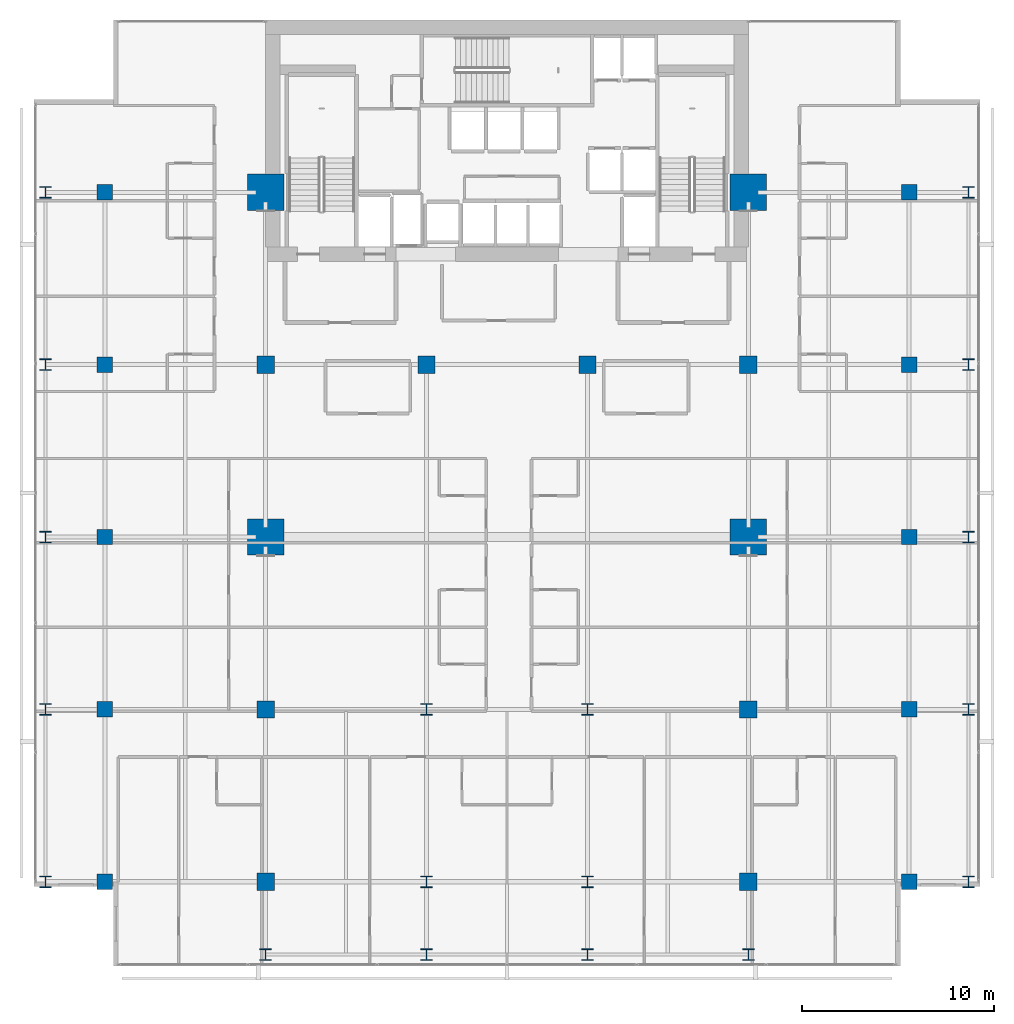
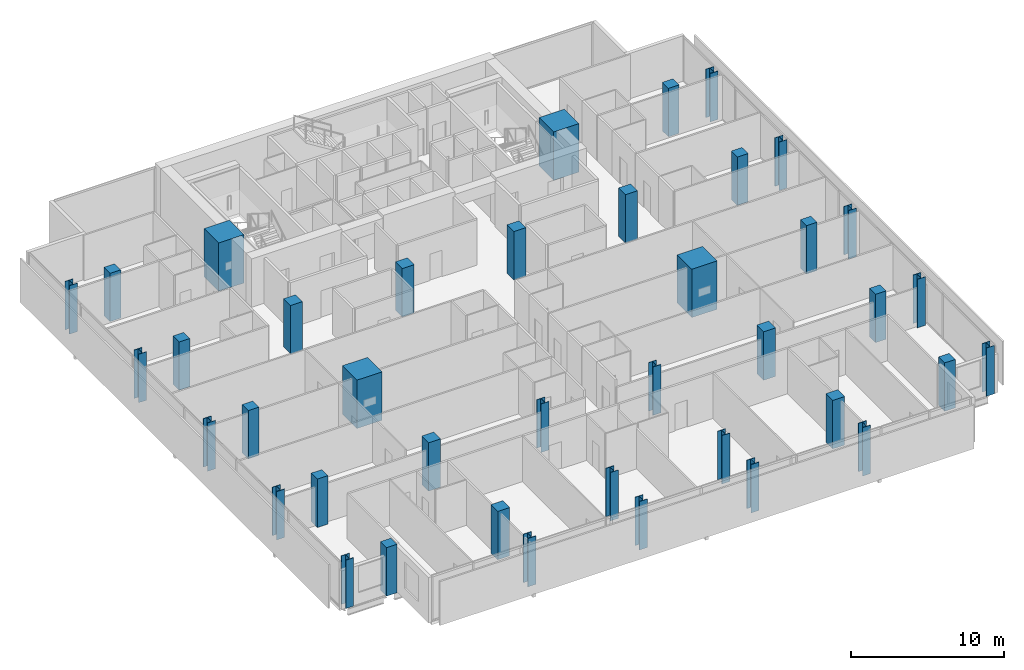
# One storey, part 1 of 34: 40 columns.
"""IFC4 building model written with IfcOpenShell, lengths in metres."""

from ifc_helpers import new_model, si_unit, direction, frame, origin, origin_2d, place, context, subcontext, project, spatial, rectangle, i_section, extrude, material, material_profile, profile_set, type_object, element, save


model = new_model("IFC4")

# Units and contexts
model_context = context("Model", 3, precision=1e-05, world=origin(), true_north=direction((0.0, 1.0)))
body_context = subcontext(model_context, "Body", "Model", "MODEL_VIEW")
ifc_project = project(units=[si_unit("LENGTHUNIT", "METRE"), si_unit("AREAUNIT", "SQUARE_METRE"), si_unit("VOLUMEUNIT", "CUBIC_METRE"), si_unit("PLANEANGLEUNIT", "RADIAN"), si_unit("MASSUNIT", "GRAM", prefix="KILO")], contexts=[model_context])

# Site, building, storey
site_placement = place(None, origin())
site = spatial("IfcSite", under=ifc_project, at=site_placement, CompositionType="ELEMENT")
building_placement = place(site_placement, origin())
building = spatial("IfcBuilding", under=site, at=building_placement, Name="Maruvema Waterfront Hotel and Observation Tower", CompositionType="ELEMENT")
storey_placement = place(building_placement, frame((0.0, 0.0, 208.25)))
storey = spatial("IfcBuildingStorey", under=building, at=storey_placement, Name="L51", CompositionType="ELEMENT", Elevation=208.25)

# Columns
ifc_material_1 = material(Name="Concrete C80/95", Category="concrete")
ifc_material_profile_1 = material_profile(ifc_material_1, rectangle(XDim=1.89990234375, YDim=1.89990234375, at=origin_2d()), Name="MC1900x1900")
ifc_profile_set_1 = profile_set([ifc_material_profile_1], Name="Concrete C80/95")
column_type_1 = type_object("IfcColumnType", Name="Continuous Mega-Column MC1900x1900", PredefinedType="COLUMN", material=ifc_profile_set_1)
for number, where, z_axis, x_axis, name in (
    (1, (25.199951171875, 27.0, 0.0), (0.0, 0.0, 1.0), (1.0, 0.0, 0.0), "L51 Continuous Mega-Column MC-01"),
    (2, (50.39990234375, 27.0, 0.0), (0.0, 0.0, 1.0), (1.0, 0.0, 0.0), "L51 Continuous Mega-Column MC-02"),
    (3, (25.199951171875, 45.0, 0.0), (0.0, 0.0, 1.0), (1.0, 0.0, 0.0), "L51 Continuous Mega-Column MC-03"),
    (4, (50.39990234375, 45.0, 0.0), (0.0, 0.0, 1.0), (1.0, 0.0, 0.0), "L51 Continuous Mega-Column MC-04"),
):
    element("IfcColumn", number, at=place(storey_placement, frame(where, z_axis=z_axis, x_axis=x_axis)), inside=storey, type_object=column_type_1, Name=name, PredefinedType="COLUMN", context=body_context, shape_type="SweptSolid", body=[
        extrude(rectangle(XDim=1.89990234375, YDim=1.89990234375, at=origin_2d()), origin(), (0.0, 0.0, 1.0), 3.85009765625),
    ])
ifc_material_2 = material(Name="Concrete C60/75", Category="concrete")
ifc_material_profile_2 = material_profile(ifc_material_2, rectangle(XDim=0.800048828125, YDim=0.800048828125, at=origin_2d()), Name="RC800x800")
ifc_profile_set_2 = profile_set([ifc_material_profile_2], Name="Concrete C60/75")
column_type_2 = type_object("IfcColumnType", Name="Reinforced Concrete Column RC800x800", PredefinedType="COLUMN", material=ifc_profile_set_2)
for number, where, z_axis, x_axis, name in (
    (5, (16.800048828125, 9.0, 0.0), (0.0, 0.0, 1.0), (1.0, 0.0, 0.0), "L51 Column C-3Y9"),
    (6, (58.800048828125, 9.0, 0.0), (0.0, 0.0, 1.0), (1.0, 0.0, 0.0), "L51 Column C-8Y9"),
    (7, (16.800048828125, 18.0, 0.0), (0.0, 0.0, 1.0), (1.0, 0.0, 0.0), "L51 Column C-3Y18"),
    (8, (58.800048828125, 18.0, 0.0), (0.0, 0.0, 1.0), (1.0, 0.0, 0.0), "L51 Column C-8Y18"),
    (9, (16.800048828125, 27.0, 0.0), (0.0, 0.0, 1.0), (1.0, 0.0, 0.0), "L51 Column C-3Y27"),
    (10, (58.800048828125, 27.0, 0.0), (0.0, 0.0, 1.0), (1.0, 0.0, 0.0), "L51 Column C-8Y27"),
    (11, (16.800048828125, 36.0, 0.0), (0.0, 0.0, 1.0), (1.0, 0.0, 0.0), "L51 Column C-3Y36"),
    (12, (58.800048828125, 36.0, 0.0), (0.0, 0.0, 1.0), (1.0, 0.0, 0.0), "L51 Column C-8Y36"),
    (13, (16.800048828125, 45.0, 0.0), (0.0, 0.0, 1.0), (1.0, 0.0, 0.0), "L51 Column C-3Y45"),
    (14, (58.800048828125, 45.0, 0.0), (0.0, 0.0, 1.0), (1.0, 0.0, 0.0), "L51 Column C-8Y45"),
):
    element("IfcColumn", number, at=place(storey_placement, frame(where, z_axis=z_axis, x_axis=x_axis)), inside=storey, type_object=column_type_2, Name=name, PredefinedType="COLUMN", context=body_context, shape_type="SweptSolid", body=[
        extrude(rectangle(XDim=0.800048828125, YDim=0.800048828125, at=origin_2d()), origin(), (0.0, 0.0, 1.0), 3.85009765625),
    ])
ifc_material_3 = material(Name="Concrete C60/75", Category="concrete")
ifc_material_profile_3 = material_profile(ifc_material_3, rectangle(XDim=0.89990234375, YDim=0.89990234375, at=origin_2d()), Name="RC900x900")
ifc_profile_set_3 = profile_set([ifc_material_profile_3], Name="Concrete C60/75")
column_type_3 = type_object("IfcColumnType", Name="Reinforced Concrete Column RC900x900", PredefinedType="COLUMN", material=ifc_profile_set_3)
for number, where, z_axis, x_axis, name in (
    (15, (25.199951171875, 36.0, 0.0), (0.0, 0.0, 1.0), (1.0, 0.0, 0.0), "L51 Column C-4E"),
    (16, (33.60009765625, 36.0, 0.0), (0.0, 0.0, 1.0), (1.0, 0.0, 0.0), "L51 Column C-5E"),
    (17, (42.0, 36.0, 0.0), (0.0, 0.0, 1.0), (1.0, 0.0, 0.0), "L51 Column C-6E"),
    (18, (50.39990234375, 36.0, 0.0), (0.0, 0.0, 1.0), (1.0, 0.0, 0.0), "L51 Column C-7E"),
    (19, (25.199951171875, 18.0, 0.0), (0.0, 0.0, 1.0), (1.0, 0.0, 0.0), "L51 Column C-4C"),
    (20, (50.39990234375, 18.0, 0.0), (0.0, 0.0, 1.0), (1.0, 0.0, 0.0), "L51 Column C-7C"),
    (21, (25.199951171875, 9.0, 0.0), (0.0, 0.0, 1.0), (1.0, 0.0, 0.0), "L51 Column C-4B"),
    (22, (50.39990234375, 9.0, 0.0), (0.0, 0.0, 1.0), (1.0, 0.0, 0.0), "L51 Column C-7B"),
):
    element("IfcColumn", number, at=place(storey_placement, frame(where, z_axis=z_axis, x_axis=x_axis)), inside=storey, type_object=column_type_3, Name=name, PredefinedType="COLUMN", context=body_context, shape_type="SweptSolid", body=[
        extrude(rectangle(XDim=0.89990234375, YDim=0.89990234375, at=origin_2d()), origin(), (0.0, 0.0, 1.0), 3.85009765625),
    ])
ifc_material_4 = material(Name="Steel ABNT NBR 7007 AR 415 (ASTM A572 Grade 50)", Category="steel")
ifc_material_profile_4 = material_profile(ifc_material_4, i_section(OverallWidth=0.60009765625, OverallDepth=0.60009765625, WebThickness=0.02490234375, FlangeThickness=0.0380859375, at=origin_2d()), Name="CVS600x317")
ifc_profile_set_4 = profile_set([ifc_material_profile_4], Name="Steel ABNT NBR 7007 AR 415 (ASTM A572 Grade 50)")
column_type_4 = type_object("IfcColumnType", Name="Structural Steel Column CVS600x317", PredefinedType="COLUMN", material=ifc_profile_set_4)
for number, where, z_axis, x_axis, name in (
    (23, (33.60009765625, 9.0, 0.0), (0.0, 0.0, 1.0), (1.0, 0.0, 0.0), "L51 Column C-5B"),
    (24, (42.0, 9.0, 0.0), (0.0, 0.0, 1.0), (1.0, 0.0, 0.0), "L51 Column C-6B"),
    (25, (33.60009765625, 18.0, 0.0), (0.0, 0.0, 1.0), (1.0, 0.0, 0.0), "L51 Column C-5C"),
    (26, (42.0, 18.0, 0.0), (0.0, 0.0, 1.0), (1.0, 0.0, 0.0), "L51 Column C-6C"),
    (27, (13.699951171875, 9.0, 0.0), (0.0, 0.0, 1.0), (1.0, 0.0, 0.0), "L51 Column C-Z2W9"),
    (28, (61.89990234375, 9.0, 0.0), (0.0, 0.0, 1.0), (1.0, 0.0, 0.0), "L51 Column C-Z2E9"),
    (29, (13.699951171875, 18.0, 0.0), (0.0, 0.0, 1.0), (1.0, 0.0, 0.0), "L51 Column C-Z2W18"),
    (30, (61.89990234375, 18.0, 0.0), (0.0, 0.0, 1.0), (1.0, 0.0, 0.0), "L51 Column C-Z2E18"),
    (31, (13.699951171875, 27.0, 0.0), (0.0, 0.0, 1.0), (1.0, 0.0, 0.0), "L51 Column C-Z2W27"),
    (32, (61.89990234375, 27.0, 0.0), (0.0, 0.0, 1.0), (1.0, 0.0, 0.0), "L51 Column C-Z2E27"),
    (33, (13.699951171875, 36.0, 0.0), (0.0, 0.0, 1.0), (1.0, 0.0, 0.0), "L51 Column C-Z2W36"),
    (34, (61.89990234375, 36.0, 0.0), (0.0, 0.0, 1.0), (1.0, 0.0, 0.0), "L51 Column C-Z2E36"),
    (35, (13.699951171875, 45.0, 0.0), (0.0, 0.0, 1.0), (1.0, 0.0, 0.0), "L51 Column C-Z2W45"),
    (36, (61.89990234375, 45.0, 0.0), (0.0, 0.0, 1.0), (1.0, 0.0, 0.0), "L51 Column C-Z2E45"),
    (37, (25.199951171875, 5.199951171875, 0.0), (0.0, 0.0, 1.0), (1.0, 0.0, 0.0), "L51 Column C-Z2S4"),
    (38, (33.60009765625, 5.199951171875, 0.0), (0.0, 0.0, 1.0), (1.0, 0.0, 0.0), "L51 Column C-Z2S5"),
    (39, (42.0, 5.199951171875, 0.0), (0.0, 0.0, 1.0), (1.0, 0.0, 0.0), "L51 Column C-Z2S6"),
    (40, (50.39990234375, 5.199951171875, 0.0), (0.0, 0.0, 1.0), (1.0, 0.0, 0.0), "L51 Column C-Z2S7"),
):
    element("IfcColumn", number, at=place(storey_placement, frame(where, z_axis=z_axis, x_axis=x_axis)), inside=storey, type_object=column_type_4, Name=name, PredefinedType="COLUMN", context=body_context, shape_type="SweptSolid", body=[
        extrude(i_section(OverallWidth=0.60009765625, OverallDepth=0.60009765625, WebThickness=0.02490234375, FlangeThickness=0.0380859375, at=origin_2d()), origin(), (0.0, 0.0, 1.0), 3.85009765625),
    ])

save(model, "model.ifc")
